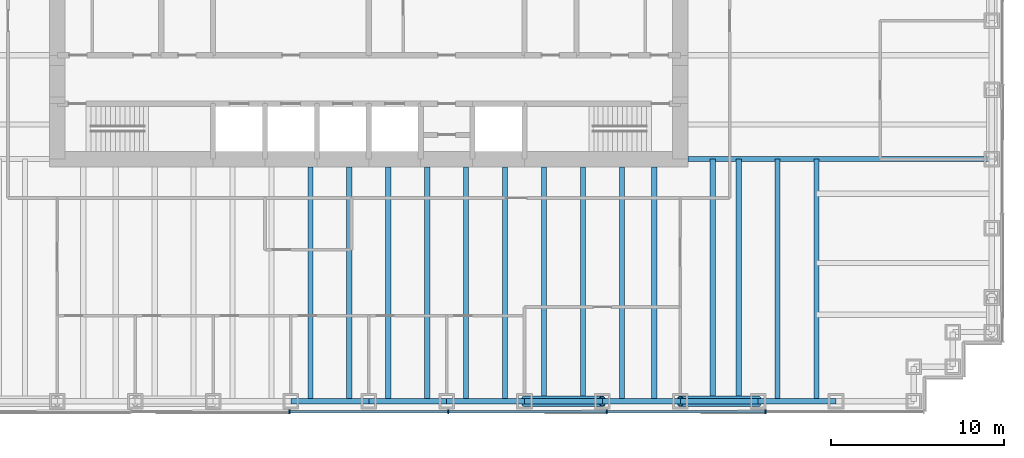
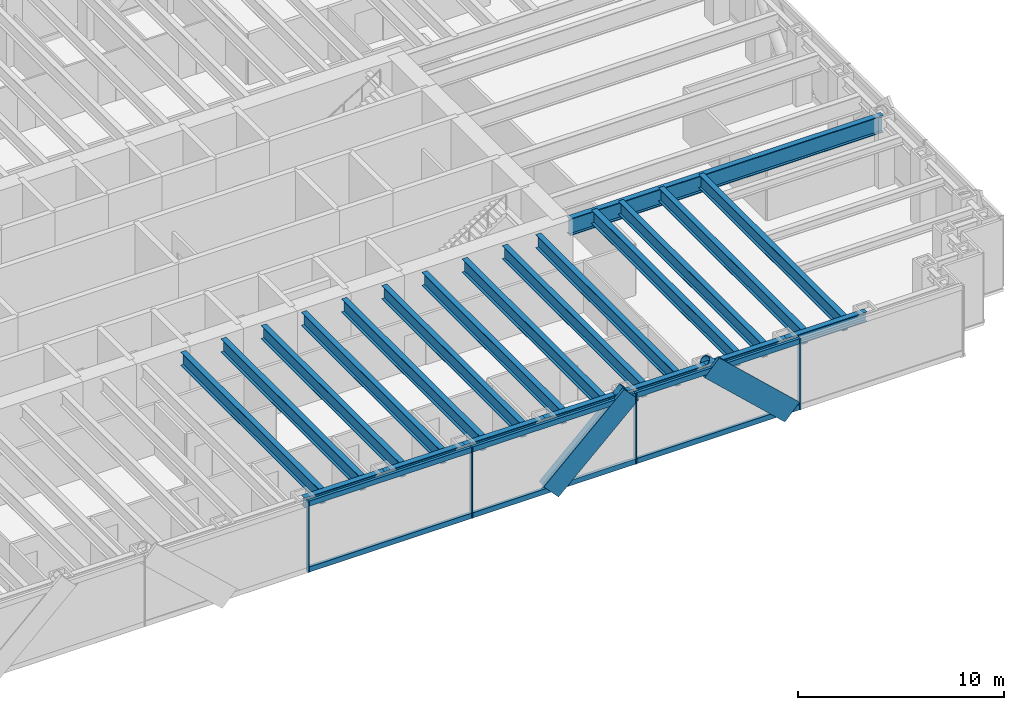
# One storey, part 4 of 15: 22 beams, 14 members, 1 element without a shape of its own.
"""IFC4 building model written with IfcOpenShell, lengths in metres."""

from ifc_helpers import new_model, si_unit, direction, frame, origin, origin_2d, place, context, subcontext, project, spatial, rectangle, hollow_circle, i_section, extrude, material, material_profile, profile_set, type_object, element, aggregate, save


model = new_model("IFC4")

# Units and contexts
model_context = context("Model", 3, precision=1e-05, world=origin(), true_north=direction((0.0, 1.0)))
body_context = subcontext(model_context, "Body", "Model", "MODEL_VIEW")
ifc_project = project(units=[si_unit("LENGTHUNIT", "METRE"), si_unit("AREAUNIT", "SQUARE_METRE"), si_unit("VOLUMEUNIT", "CUBIC_METRE"), si_unit("PLANEANGLEUNIT", "RADIAN"), si_unit("MASSUNIT", "GRAM", prefix="KILO")], contexts=[model_context])

# Site, building, storey
site_placement = place(None, origin())
site = spatial("IfcSite", under=ifc_project, at=site_placement, CompositionType="ELEMENT")
building_placement = place(site_placement, origin())
building = spatial("IfcBuilding", under=site, at=building_placement, Name="Rheinbord Bourse Tower", CompositionType="ELEMENT")
storey_placement = place(building_placement, frame((0.0, 0.0, 104.699951171875)))
storey = spatial("IfcBuildingStorey", under=building, at=storey_placement, Name="L22", CompositionType="ELEMENT", Elevation=104.699951171875)

# Curtain wall, members
ifc_material_1 = material(Name="Dark glass and black aluminium", Category="aluminium")
curtain_wall_type = type_object("IfcCurtainWallType", Name="CW2 DARK GLASS CURTAIN WALL", PredefinedType="USERDEFINED", material=ifc_material_1)
curtain_wall_placement = place(storey_placement, origin())
curtain_wall = element("IfcCurtainWall", 1, at=curtain_wall_placement, inside=storey, type_object=curtain_wall_type, Name="Curtain wall CW2 S L22", ObjectType="UNITISED CURTAIN WALL", PredefinedType="USERDEFINED")
ifc_material_2 = material(Name="Black anodised aluminium", Category="aluminium")
ifc_material_profile_1 = material_profile(ifc_material_2, rectangle(XDim=0.159912109375, YDim=1.2099609375, at=origin_2d()), Name="CW2 DIAGONAL MULLION 1210x160")
ifc_profile_set_1 = profile_set([ifc_material_profile_1], Name="Black anodised aluminium")
member_type_1 = type_object("IfcMemberType", Name="CW2 BLACK DIAGONAL MULLION", PredefinedType="USERDEFINED", material=ifc_profile_set_1)
member_1_placement = place(storey_placement, frame((45.0, 1.39990234375, 0.0), z_axis=(0.73105922506, 0.0, 0.682314010889), x_axis=(0.0, 1.0, 0.0)))
member_1 = element("IfcMember", 2, at=member_1_placement, type_object=member_type_1, Name="CW2 diagonal mullion b", ObjectType="DIAGONAL MULLION", PredefinedType="USERDEFINED", context=body_context, shape_type="SweptSolid", body=[
    extrude(rectangle(XDim=0.159912109375, YDim=1.2099609375, at=origin_2d()), origin(), (0.0, 0.0, 1.0), 6.155517578125),
])
member_2_placement = place(storey_placement, frame((58.5, 1.39990234375, 0.0), z_axis=(-0.73105922506, 0.0, 0.682314010889), x_axis=(0.0, -1.0, 0.0)))
member_2 = element("IfcMember", 3, at=member_2_placement, type_object=member_type_1, Name="CW2 diagonal mullion d", ObjectType="DIAGONAL MULLION", PredefinedType="USERDEFINED", context=body_context, shape_type="SweptSolid", body=[
    extrude(rectangle(XDim=0.159912109375, YDim=1.2099609375, at=origin_2d()), origin(), (0.0, 0.0, 1.0), 6.155517578125),
])
ifc_material_3 = material(Name="Black anodised aluminium", Category="aluminium")
ifc_material_profile_2 = material_profile(ifc_material_3, rectangle(XDim=0.219970703125, YDim=0.070068359375, at=origin_2d()), Name="CW2 MULLION 70x220")
ifc_profile_set_2 = profile_set([ifc_material_profile_2], Name="Black anodised aluminium")
member_type_2 = type_object("IfcMemberType", Name="CW2 BLACK MULLION", PredefinedType="MULLION", material=ifc_profile_set_2)
member_3_placement = place(storey_placement, frame((31.414306640625, 1.39990234375, 0.0), z_axis=(0.0, 0.0, 1.0), x_axis=(0.0, 1.0, 0.0)))
member_3 = element("IfcMember", 4, at=member_3_placement, type_object=member_type_2, Name="CW2 mullion 4", PredefinedType="MULLION", context=body_context, shape_type="SweptSolid", body=[
    extrude(rectangle(XDim=0.219970703125, YDim=0.070068359375, at=origin_2d()), origin(), (0.0, 0.0, 1.0), 4.199951171875),
])
member_4_placement = place(storey_placement, frame((40.585693359375, 1.39990234375, 0.0), z_axis=(0.0, 0.0, 1.0), x_axis=(0.0, 1.0, 0.0)))
member_4 = element("IfcMember", 5, at=member_4_placement, type_object=member_type_2, Name="CW2 mullion 5", PredefinedType="MULLION", context=body_context, shape_type="SweptSolid", body=[
    extrude(rectangle(XDim=0.219970703125, YDim=0.070068359375, at=origin_2d()), origin(), (0.0, 0.0, 1.0), 4.199951171875),
])
member_5_placement = place(storey_placement, frame((49.757080078125, 1.39990234375, 0.0), z_axis=(0.0, 0.0, 1.0), x_axis=(0.0, 1.0, 0.0)))
member_5 = element("IfcMember", 6, at=member_5_placement, type_object=member_type_2, Name="CW2 mullion 6", PredefinedType="MULLION", context=body_context, shape_type="SweptSolid", body=[
    extrude(rectangle(XDim=0.219970703125, YDim=0.070068359375, at=origin_2d()), origin(), (0.0, 0.0, 1.0), 4.199951171875),
])
member_6_placement = place(storey_placement, frame((58.928466796875, 1.39990234375, 0.0), z_axis=(0.0, 0.0, 1.0), x_axis=(0.0, 1.0, 0.0)))
member_6 = element("IfcMember", 7, at=member_6_placement, type_object=member_type_2, Name="CW2 mullion 7", PredefinedType="MULLION", context=body_context, shape_type="SweptSolid", body=[
    extrude(rectangle(XDim=0.219970703125, YDim=0.070068359375, at=origin_2d()), origin(), (0.0, 0.0, 1.0), 4.199951171875),
])
ifc_material_4 = material(Name="Black anodised aluminium", Category="aluminium")
ifc_material_profile_3 = material_profile(ifc_material_4, rectangle(XDim=0.159912109375, YDim=0.300048828125, at=origin_2d()), Name="CW2 TRANSOM 300x160")
ifc_profile_set_3 = profile_set([ifc_material_profile_3], Name="Black anodised aluminium")
member_type_3 = type_object("IfcMemberType", Name="CW2 BLACK TRANSOM", PredefinedType="USERDEFINED", material=ifc_profile_set_3)
member_7_placement = place(storey_placement, frame((31.44921875, 1.39990234375, 0.150146484375), z_axis=(1.0, 0.0, 0.0), x_axis=(0.0, 1.0, 0.0)))
member_7 = element("IfcMember", 8, at=member_7_placement, type_object=member_type_3, Name="CW2 transom 4.1", ObjectType="TRANSOM", PredefinedType="USERDEFINED", context=body_context, shape_type="SweptSolid", body=[
    extrude(rectangle(XDim=0.159912109375, YDim=0.300048828125, at=origin_2d()), origin(), (0.0, 0.0, 1.0), 9.1015625),
])
member_8_placement = place(storey_placement, frame((31.44921875, 1.39990234375, 4.050048828125), z_axis=(1.0, 0.0, 0.0), x_axis=(0.0, 1.0, 0.0)))
member_8 = element("IfcMember", 9, at=member_8_placement, type_object=member_type_3, Name="CW2 transom 4.2", ObjectType="TRANSOM", PredefinedType="USERDEFINED", context=body_context, shape_type="SweptSolid", body=[
    extrude(rectangle(XDim=0.159912109375, YDim=0.300048828125, at=origin_2d()), origin(), (0.0, 0.0, 1.0), 9.1015625),
])
member_9_placement = place(storey_placement, frame((40.62060546875, 1.39990234375, 0.150146484375), z_axis=(1.0, 0.0, 0.0), x_axis=(0.0, 1.0, 0.0)))
member_9 = element("IfcMember", 10, at=member_9_placement, type_object=member_type_3, Name="CW2 transom 5.1", ObjectType="TRANSOM", PredefinedType="USERDEFINED", context=body_context, shape_type="SweptSolid", body=[
    extrude(rectangle(XDim=0.159912109375, YDim=0.300048828125, at=origin_2d()), origin(), (0.0, 0.0, 1.0), 9.1015625),
])
member_10_placement = place(storey_placement, frame((40.62060546875, 1.39990234375, 4.050048828125), z_axis=(1.0, 0.0, 0.0), x_axis=(0.0, 1.0, 0.0)))
member_10 = element("IfcMember", 11, at=member_10_placement, type_object=member_type_3, Name="CW2 transom 5.2", ObjectType="TRANSOM", PredefinedType="USERDEFINED", context=body_context, shape_type="SweptSolid", body=[
    extrude(rectangle(XDim=0.159912109375, YDim=0.300048828125, at=origin_2d()), origin(), (0.0, 0.0, 1.0), 9.1015625),
])
member_11_placement = place(storey_placement, frame((49.792236328125, 1.39990234375, 0.150146484375), z_axis=(1.0, 0.0, 0.0), x_axis=(0.0, 1.0, 0.0)))
member_11 = element("IfcMember", 12, at=member_11_placement, type_object=member_type_3, Name="CW2 transom 6.1", ObjectType="TRANSOM", PredefinedType="USERDEFINED", context=body_context, shape_type="SweptSolid", body=[
    extrude(rectangle(XDim=0.159912109375, YDim=0.300048828125, at=origin_2d()), origin(), (0.0, 0.0, 1.0), 9.101318359375),
])
member_12_placement = place(storey_placement, frame((49.792236328125, 1.39990234375, 4.050048828125), z_axis=(1.0, 0.0, 0.0), x_axis=(0.0, 1.0, 0.0)))
member_12 = element("IfcMember", 13, at=member_12_placement, type_object=member_type_3, Name="CW2 transom 6.2", ObjectType="TRANSOM", PredefinedType="USERDEFINED", context=body_context, shape_type="SweptSolid", body=[
    extrude(rectangle(XDim=0.159912109375, YDim=0.300048828125, at=origin_2d()), origin(), (0.0, 0.0, 1.0), 9.101318359375),
])
aggregate(curtain_wall, [member_3, member_4, member_5, member_6, member_7, member_8, member_9, member_10, member_11, member_12, member_1, member_2])

# Beams
ifc_material_5 = material(Name="Steel S460", Category="steel")
ifc_material_profile_4 = material_profile(ifc_material_5, i_section(OverallWidth=0.300048828125, OverallDepth=0.800048828125, WebThickness=0.017578125, FlangeThickness=0.032958984375, at=origin_2d()), Name="HEB 800")
ifc_profile_set_4 = profile_set([ifc_material_profile_4], Name="Steel S460")
beam_type_1 = type_object("IfcBeamType", Name="FLOOR BEAM HEB 800", PredefinedType="BEAM", material=ifc_profile_set_4)
for number, where, z_axis, x_axis, name in (
    (14, (32.625, 2.0, 3.64013671875), (0.0, 1.0, 0.0), (-1.0, 0.0, 0.0), "Floor beam S-31.5a L23"),
    (15, (34.875, 2.0, 3.64013671875), (0.0, 1.0, 0.0), (-1.0, 0.0, 0.0), "Floor beam S-31.5b L23"),
    (16, (37.125, 2.0, 3.64013671875), (0.0, 1.0, 0.0), (-1.0, 0.0, 0.0), "Floor beam S-36a L23"),
    (17, (39.375, 2.0, 3.64013671875), (0.0, 1.0, 0.0), (-1.0, 0.0, 0.0), "Floor beam S-36b L23"),
    (18, (41.625, 2.0, 3.64013671875), (0.0, 1.0, 0.0), (-1.0, 0.0, 0.0), "Floor beam S-40.5a L23"),
    (19, (43.875, 2.0, 3.64013671875), (0.0, 1.0, 0.0), (-1.0, 0.0, 0.0), "Floor beam S-40.5b L23"),
    (20, (46.125, 2.0, 3.64013671875), (0.0, 1.0, 0.0), (-1.0, 0.0, 0.0), "Floor beam S-45a L23"),
    (21, (48.375, 2.0, 3.64013671875), (0.0, 1.0, 0.0), (-1.0, 0.0, 0.0), "Floor beam S-45b L23"),
    (22, (50.625, 2.0, 3.64013671875), (0.0, 1.0, 0.0), (-1.0, 0.0, 0.0), "Floor beam S-49.5a L23"),
    (23, (52.5, 2.0, 3.64013671875), (0.0, 1.0, 0.0), (-1.0, 0.0, 0.0), "Floor beam S-49.5b L23"),
):
    element("IfcBeam", number, at=place(storey_placement, frame(where, z_axis=z_axis, x_axis=x_axis)), inside=storey, type_object=beam_type_1, Name=name, PredefinedType="BEAM", context=body_context, shape_type="SweptSolid", body=[
        extrude(i_section(OverallWidth=0.300048828125, OverallDepth=0.800048828125, WebThickness=0.017578125, FlangeThickness=0.032958984375, at=origin_2d()), origin(), (0.0, 0.0, 1.0), 13.550048828125),
    ])
for number, where, z_axis, x_axis, name in (
    (24, (55.875, 2.0, 3.64013671875), (0.0, 1.0, 0.0), (-1.0, 0.0, 0.0), "Floor beam S-54a L23"),
    (25, (57.375, 2.0, 3.64013671875), (0.0, 1.0, 0.0), (-1.0, 0.0, 0.0), "Floor beam S-54b L23"),
    (26, (59.625, 2.0, 3.64013671875), (0.0, 1.0, 0.0), (-1.0, 0.0, 0.0), "Floor beam S-58.5a L23"),
    (27, (61.875, 2.0, 3.64013671875), (0.0, 1.0, 0.0), (-1.0, 0.0, 0.0), "Floor beam S-58.5b L23"),
):
    element("IfcBeam", number, at=place(storey_placement, frame(where, z_axis=z_axis, x_axis=x_axis)), inside=storey, type_object=beam_type_1, Name=name, PredefinedType="BEAM", context=body_context, shape_type="SweptSolid", body=[
        extrude(i_section(OverallWidth=0.300048828125, OverallDepth=0.800048828125, WebThickness=0.017578125, FlangeThickness=0.032958984375, at=origin_2d()), origin(), (0.0, 0.0, 1.0), 14.0),
    ])
ifc_material_6 = material(Name="Steel S460", Category="steel")
ifc_material_profile_5 = material_profile(ifc_material_6, i_section(OverallWidth=0.302001953125, OverallDepth=1.008056640625, WebThickness=0.02099609375, FlangeThickness=0.0400390625, at=origin_2d()), Name="HEM 1000")
ifc_profile_set_5 = profile_set([ifc_material_profile_5], Name="Steel S460")
beam_type_2 = type_object("IfcBeamType", Name="GIRDER HEM 1000", PredefinedType="BEAM", material=ifc_profile_set_5)
beam_placement = place(storey_placement, frame((54.449951171875, 16.0, 3.5361328125), z_axis=(1.0, 0.0, 0.0), x_axis=(0.0, 1.0, 0.0)))
element("IfcBeam", 28, at=beam_placement, inside=storey, type_object=beam_type_2, Name="Girder east 16 L23", PredefinedType="BEAM", context=body_context, shape_type="SweptSolid", body=[
    extrude(i_section(OverallWidth=0.302001953125, OverallDepth=1.008056640625, WebThickness=0.02099609375, FlangeThickness=0.0400390625, at=origin_2d()), origin(), (0.0, 0.0, 1.0), 17.550048828125),
])

# Members
ifc_material_7 = material(Name="Steel S460", Category="steel")
ifc_material_profile_6 = material_profile(ifc_material_7, hollow_circle(Radius=0.304931640625, WallThickness=0.0400390625, at=origin_2d()), Name="CHS 610x40")
ifc_profile_set_6 = profile_set([ifc_material_profile_6], Name="Steel S460")
member_type_4 = type_object("IfcMemberType", Name="MEGABRACE CHS 610x40", PredefinedType="BRACE", material=ifc_profile_set_6)
for number, where, z_axis, x_axis, name in (
    (29, (45.0, 2.0, 0.0), (0.73105922506, 0.0, 0.682314010889), (0.0, 1.0, 0.0), "Megabrace S face line b L22"),
    (30, (58.5, 2.0, 0.0), (-0.73105922506, 0.0, 0.682314010889), (0.0, -1.0, 0.0), "Megabrace S face line d L22"),
):
    element("IfcMember", number, at=place(storey_placement, frame(where, z_axis=z_axis, x_axis=x_axis)), inside=storey, type_object=member_type_4, Name=name, PredefinedType="BRACE", context=body_context, shape_type="SweptSolid", body=[
        extrude(hollow_circle(Radius=0.304931640625, WallThickness=0.0400390625, at=origin_2d()), origin(), (0.0, 0.0, 1.0), 6.155517578125),
    ])

# Beams
ifc_material_8 = material(Name="Steel S460", Category="steel")
ifc_material_profile_7 = material_profile(ifc_material_8, i_section(OverallWidth=0.305908203125, OverallDepth=0.572021484375, WebThickness=0.02099609375, FlangeThickness=0.0400390625, at=origin_2d()), Name="HEM 550")
ifc_profile_set_7 = profile_set([ifc_material_profile_7], Name="Steel S460")
beam_type_3 = type_object("IfcBeamType", Name="SPANDREL HEM 550", PredefinedType="SPANDREL", material=ifc_profile_set_7)
for number, where, z_axis, x_axis, name in (
    (31, (31.5, 2.0, 3.754150390625), (1.0, 0.0, 0.0), (0.0, 1.0, 0.0), "Spandrel S-31.5-S-36 under L23"),
    (32, (36.0, 2.0, 3.754150390625), (1.0, 0.0, 0.0), (0.0, 1.0, 0.0), "Spandrel S-36-S-40.5 under L23"),
    (33, (40.5, 2.0, 3.754150390625), (1.0, 0.0, 0.0), (0.0, 1.0, 0.0), "Spandrel S-40.5-S-45 under L23"),
    (34, (45.0, 2.0, 3.754150390625), (1.0, 0.0, 0.0), (0.0, 1.0, 0.0), "Spandrel S-45-S-49.5 under L23"),
    (35, (49.5, 2.0, 3.754150390625), (1.0, 0.0, 0.0), (0.0, 1.0, 0.0), "Spandrel S-49.5-S-54 under L23"),
    (36, (54.0, 2.0, 3.754150390625), (1.0, 0.0, 0.0), (0.0, 1.0, 0.0), "Spandrel S-54-S-58.5 under L23"),
    (37, (58.5, 2.0, 3.754150390625), (1.0, 0.0, 0.0), (0.0, 1.0, 0.0), "Spandrel S-58.5-S-63 under L23"),
):
    element("IfcBeam", number, at=place(storey_placement, frame(where, z_axis=z_axis, x_axis=x_axis)), inside=storey, type_object=beam_type_3, Name=name, PredefinedType="SPANDREL", context=body_context, shape_type="SweptSolid", body=[
        extrude(i_section(OverallWidth=0.305908203125, OverallDepth=0.572021484375, WebThickness=0.02099609375, FlangeThickness=0.0400390625, at=origin_2d()), origin(), (0.0, 0.0, 1.0), 4.5),
    ])

save(model, "model.ifc")
